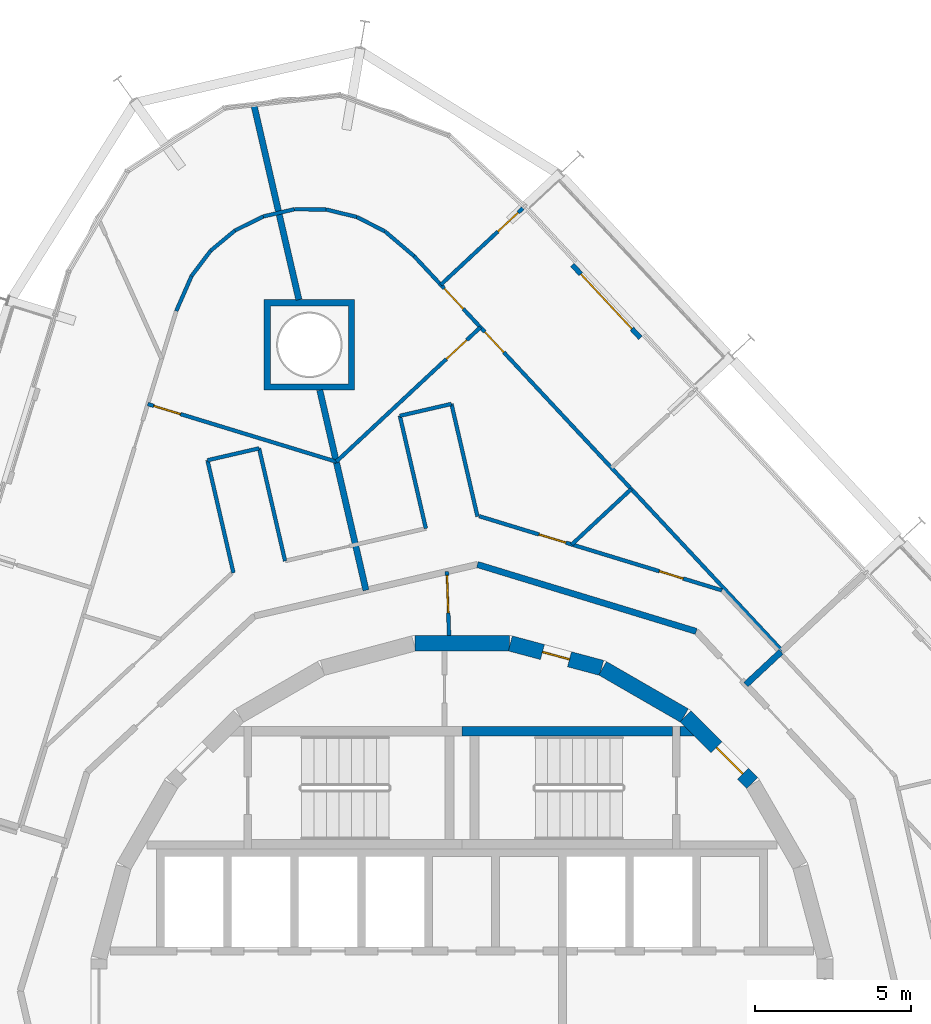
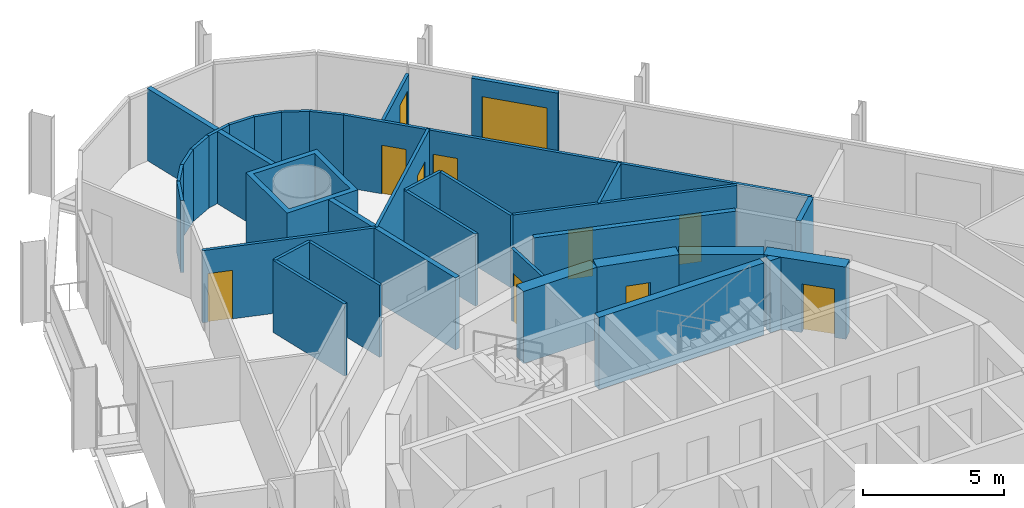
# One storey, part 16 of 18: 34 walls, 11 doors, 11 openings.
"""IFC4 building model written with IfcOpenShell, lengths in metres."""

from ifc_helpers import new_model, si_unit, direction, frame, frame_2d, origin, place, context, subcontext, project, spatial, polyline, rectangle, outline, extrude, material, layer, layer_set, type_object, element, fill, save


model = new_model("IFC4")

# Units and contexts
model_context = context("Model", 3, precision=1e-05, world=origin(), true_north=direction((0.0, 1.0)))
body_context = subcontext(model_context, "Body", "Model", "MODEL_VIEW")
ifc_project = project(units=[si_unit("LENGTHUNIT", "METRE"), si_unit("AREAUNIT", "SQUARE_METRE"), si_unit("VOLUMEUNIT", "CUBIC_METRE"), si_unit("PLANEANGLEUNIT", "RADIAN"), si_unit("MASSUNIT", "GRAM", prefix="KILO")], contexts=[model_context])

# Site, building, storey
site_placement = place(None, origin())
site = spatial("IfcSite", under=ifc_project, at=site_placement, CompositionType="ELEMENT")
building_placement = place(site_placement, origin())
building = spatial("IfcBuilding", under=site, at=building_placement, Name="Spindle Arch Residences", CompositionType="ELEMENT")
storey_placement = place(building_placement, frame((0.0, 0.0, 120.39990234375)))
storey = spatial("IfcBuildingStorey", under=building, at=storey_placement, Name="L29", CompositionType="ELEMENT", Elevation=120.39990234375)

# Wall, opening, door
ifc_material_1 = material(Name="Concrete C50/60", Category="concrete")
ifc_layer_1 = layer(ifc_material_1, 0.5)
ifc_layer_set_1 = layer_set([ifc_layer_1], Name="Core outline wall 500")
wall_type_1 = type_object("IfcWallType", Name="Core outline wall 500", PredefinedType="SHEAR", material=ifc_layer_set_1)
wall_1_placement = place(storey_placement, frame((9.30810546875, 7.163818359375, 0.0), z_axis=(0.0, 0.0, 1.0), x_axis=(-0.707106781187, 0.707106781187, 0.0)))
wall_1 = element("IfcWall", 1, at=wall_1_placement, inside=storey, type_object=wall_type_1, Name="Core outline wall 9", PredefinedType="SHEAR", context=body_context, shape_type="SweptSolid", body=[
    extrude(rectangle(XDim=3.032470703125, YDim=0.5, at=frame_2d((1.51611328125, 0.0))), origin(), (0.0, 0.0, 1.0), 3.1201171875),
])
opening_1_placement = place(wall_1_placement, frame((0.416259765625, 0.0, 0.0)))
opening_1 = element("IfcOpeningElement", 2, at=opening_1_placement, cuts=wall_1, Name="Opening R3A0-AD01", PredefinedType="OPENING", context=body_context, shape_type="SweptSolid", body=[
    extrude(rectangle(XDim=1.199951171875, YDim=2.10009765625, at=frame_2d((0.60009765625, 1.050048828125))), frame((0.0, 0.260009765625, 0.0), z_axis=(0.0, -1.0, 0.0), x_axis=(1.0, 0.0, 0.0)), (0.0, 0.0, 1.0), 0.52001953125),
])
ifc_material_2 = material(Name="Steel, fire-resisting door", Category="steel")
door_type_1 = type_object("IfcDoorType", Name="Stair airlock door 1200x2100", OperationType="SINGLE_SWING_LEFT", PredefinedType="DOOR", material=ifc_material_2)
door_1_placement = place(opening_1_placement, origin())
door_1 = element("IfcDoor", 3, at=door_1_placement, inside=storey, type_object=door_type_1, Name="Stair airlock door R3A0-AD01", OperationType="SINGLE_SWING_RIGHT", OverallHeight=2.10009765625, OverallWidth=1.199951171875, PredefinedType="DOOR", context=body_context, shape_type="SweptSolid", body=[
    extrude(rectangle(XDim=1.199951171875, YDim=2.10009765625, at=frame_2d((0.60009765625, 1.050048828125))), frame((0.0, 0.02490234375, 0.0), z_axis=(0.0, -1.0, 0.0), x_axis=(1.0, 0.0, 0.0)), (0.0, 0.0, 1.0), 0.050048828125),
])
fill(opening_1, door_1)

# Wall
wall_2_placement = place(storey_placement, frame((7.13671875, 9.32861328125, 0.0), z_axis=(0.0, 0.0, 1.0), x_axis=(-0.865975092491, 0.500087131594, 0.0)))
element("IfcWall", 4, at=wall_2_placement, inside=storey, type_object=wall_type_1, Name="Core outline wall 10", PredefinedType="SHEAR", context=body_context, shape_type="SweptSolid", body=[
    extrude(rectangle(XDim=3.03271484375, YDim=0.5, at=frame_2d((1.516357421875, 0.0))), origin(), (0.0, 0.0, 1.0), 3.1201171875),
])

# Wall, opening, door
wall_3_placement = place(storey_placement, frame((4.479248046875, 10.858154296875, 0.0), z_axis=(0.0, 0.0, 1.0), x_axis=(-0.965948410781, 0.258734743916, 0.0)))
wall_3 = element("IfcWall", 5, at=wall_3_placement, inside=storey, type_object=wall_type_1, Name="Core outline wall 11", PredefinedType="SHEAR", context=body_context, shape_type="SweptSolid", body=[
    extrude(rectangle(XDim=3.03271484375, YDim=0.5, at=frame_2d((1.516357421875, 0.0))), origin(), (0.0, 0.0, 1.0), 3.1201171875),
])
opening_2_placement = place(wall_3_placement, frame((1.066162109375, 0.0, 0.0)))
opening_2 = element("IfcOpeningElement", 6, at=opening_2_placement, cuts=wall_3, Name="Opening R3A0-WD12", PredefinedType="OPENING", context=body_context, shape_type="SweptSolid", body=[
    extrude(rectangle(XDim=0.89990234375, YDim=2.10009765625, at=frame_2d((0.449951171875, 1.050048828125))), frame((0.0, 0.260009765625, 0.0), z_axis=(0.0, -1.0, 0.0), x_axis=(1.0, 0.0, 0.0)), (0.0, 0.0, 1.0), 0.52001953125),
])
ifc_material_3 = material(Name="Steel, fire-resisting door", Category="steel")
door_type_2 = type_object("IfcDoorType", Name="Service room door 900x2100", OperationType="SINGLE_SWING_LEFT", PredefinedType="DOOR", material=ifc_material_3)
door_2_placement = place(opening_2_placement, origin())
door_2 = element("IfcDoor", 7, at=door_2_placement, inside=storey, type_object=door_type_2, Name="Service room door R3A0-WD12", OperationType="SINGLE_SWING_LEFT", OverallHeight=2.10009765625, OverallWidth=0.89990234375, PredefinedType="DOOR", context=body_context, shape_type="SweptSolid", body=[
    extrude(rectangle(XDim=0.89990234375, YDim=2.10009765625, at=frame_2d((0.449951171875, 1.050048828125))), frame((0.0, 0.02490234375, 0.0), z_axis=(0.0, -1.0, 0.0), x_axis=(1.0, 0.0, 0.0)), (0.0, 0.0, 1.0), 0.050048828125),
])
fill(opening_2, door_2)

# Wall
wall_4_placement = place(storey_placement, frame((1.516357421875, 11.647216796875, 0.0), z_axis=(0.0, 0.0, 1.0), x_axis=(-1.0, 0.0, 0.0)))
element("IfcWall", 8, at=wall_4_placement, inside=storey, type_object=wall_type_1, Name="Core outline wall 12", PredefinedType="SHEAR", context=body_context, shape_type="SweptSolid", body=[
    extrude(rectangle(XDim=3.03271484375, YDim=0.5, at=frame_2d((1.516357421875, 0.0))), origin(), (0.0, 0.0, 1.0), 3.1201171875),
])

# Wall, opening, door
ifc_material_4 = material(Name="Plasterboard on steel studs", Category="steel")
ifc_layer_2 = layer(ifc_material_4, 0.1201171875)
ifc_layer_set_2 = layer_set([ifc_layer_2], Name="Corridor division wall 120")
wall_type_2 = type_object("IfcWallType", Name="Corridor division wall 120", PredefinedType="PARTITIONING", material=ifc_layer_set_2)
wall_5_placement = place(storey_placement, frame((-0.487060546875, 13.947998046875, 0.0), z_axis=(0.0, 0.0, 1.0), x_axis=(0.034859752231, -0.999392214135, 0.0)))
wall_5 = element("IfcWall", 9, at=wall_5_placement, inside=storey, type_object=wall_type_2, Name="Corridor division wall R3A0-W001", PredefinedType="PARTITIONING", context=body_context, shape_type="SweptSolid", body=[
    extrude(rectangle(XDim=2.052001953125, YDim=0.1201171875, at=frame_2d((1.02587890625, 0.0))), origin(), (0.0, 0.0, 1.0), 3.1201171875),
])
opening_3_placement = place(wall_5_placement, frame((0.125, 0.0, 0.0)))
opening_3 = element("IfcOpeningElement", 10, at=opening_3_placement, cuts=wall_5, Name="Opening R3A0-CD01", PredefinedType="OPENING", context=body_context, shape_type="SweptSolid", body=[
    extrude(rectangle(XDim=1.199951171875, YDim=2.10009765625, at=frame_2d((0.60009765625, 1.050048828125))), frame((0.0, 0.070068359375, 0.0), z_axis=(0.0, -1.0, 0.0), x_axis=(1.0, 0.0, 0.0)), (0.0, 0.0, 1.0), 0.14013671875),
])
ifc_material_5 = material(Name="Steel, fire-resisting door", Category="steel")
door_type_3 = type_object("IfcDoorType", Name="Corridor division door 1200x2100", OperationType="NOTDEFINED", PredefinedType="DOOR", material=ifc_material_5)
door_3_placement = place(opening_3_placement, origin())
door_3 = element("IfcDoor", 11, at=door_3_placement, inside=storey, type_object=door_type_3, Name="Corridor division door R3A0-CD01", OperationType="DOUBLE_DOOR_SINGLE_SWING", OverallHeight=2.10009765625, OverallWidth=1.199951171875, PredefinedType="DOOR", context=body_context, shape_type="SweptSolid", body=[
    extrude(rectangle(XDim=1.199951171875, YDim=2.10009765625, at=frame_2d((0.60009765625, 1.050048828125))), frame((0.0, 0.02490234375, 0.0), z_axis=(0.0, -1.0, 0.0), x_axis=(1.0, 0.0, 0.0)), (0.0, 0.0, 1.0), 0.050048828125),
])
fill(opening_3, door_3)

# Wall
ifc_material_6 = material(Name="Calcium silicate block, plastered")
ifc_layer_3 = layer(ifc_material_6, 0.199951171875)
ifc_layer_set_3 = layer_set([ifc_layer_3], Name="Corridor wall 200")
wall_type_3 = type_object("IfcWallType", Name="Corridor wall 200", PredefinedType="STANDARD", material=ifc_layer_set_3)
wall_6_placement = place(storey_placement, frame((7.51611328125, 12.028076171875, 0.0), z_axis=(0.0, 0.0, 1.0), x_axis=(-0.956306642771, 0.292365533182, 0.0)))
element("IfcWall", 12, at=wall_6_placement, inside=storey, type_object=wall_type_3, Name="Corridor wall R3A0-W007", PredefinedType="STANDARD", context=body_context, shape_type="SweptSolid", body=[
    extrude(rectangle(XDim=7.341796875, YDim=0.199951171875, at=frame_2d((3.6708984375, 0.0))), origin(), (0.0, 0.0, 1.0), 3.1201171875),
])

# Wall, openings, doors
ifc_material_7 = material(Name="Plasterboard on steel studs", Category="steel")
ifc_layer_4 = layer(ifc_material_7, 0.1201171875)
ifc_layer_set_4 = layer_set([ifc_layer_4], Name="Flat partition 120")
wall_type_4 = type_object("IfcWallType", Name="Flat partition 120", PredefinedType="PARTITIONING", material=ifc_layer_set_4)
wall_7_placement = place(storey_placement, frame((8.3388671875, 13.34521484375, 0.0), z_axis=(0.0, 0.0, 1.0), x_axis=(-0.956310145342, 0.292354076276, 0.0)))
wall_7 = element("IfcWall", 13, at=wall_7_placement, inside=storey, type_object=wall_type_4, Name="Flat partition R3A0-W044", PredefinedType="PARTITIONING", context=body_context, shape_type="SweptSolid", body=[
    extrude(rectangle(XDim=8.1455078125, YDim=0.1201171875, at=frame_2d((4.07275390625, 0.0))), origin(), (0.0, 0.0, 1.0), 3.1201171875),
])
opening_4_placement = place(wall_7_placement, frame((1.300048828125, 0.0, 0.0)))
opening_4 = element("IfcOpeningElement", 14, at=opening_4_placement, cuts=wall_7, Name="Opening R3A0-BD03", PredefinedType="OPENING", context=body_context, shape_type="SweptSolid", body=[
    extrude(rectangle(XDim=0.800048828125, YDim=2.10009765625, at=frame_2d((0.39990234375, 1.050048828125))), frame((0.0, 0.070068359375, 0.0), z_axis=(0.0, -1.0, 0.0), x_axis=(1.0, 0.0, 0.0)), (0.0, 0.0, 1.0), 0.14013671875),
])
opening_5_placement = place(wall_7_placement, frame((5.236572265625, 0.0, 0.0)))
opening_5 = element("IfcOpeningElement", 15, at=opening_5_placement, cuts=wall_7, Name="Opening R3A0-ID06", PredefinedType="OPENING", context=body_context, shape_type="SweptSolid", body=[
    extrude(rectangle(XDim=0.89990234375, YDim=2.10009765625, at=frame_2d((0.449951171875, 1.050048828125))), frame((0.0, 0.070068359375, 0.0), z_axis=(0.0, -1.0, 0.0), x_axis=(1.0, 0.0, 0.0)), (0.0, 0.0, 1.0), 0.14013671875),
])
ifc_material_8 = material(Name="Timber door set", Category="wood")
door_type_4 = type_object("IfcDoorType", Name="Bathroom door 800x2100", OperationType="NOTDEFINED", PredefinedType="DOOR", material=ifc_material_8)
door_4_placement = place(opening_4_placement, origin())
door_4 = element("IfcDoor", 16, at=door_4_placement, inside=storey, type_object=door_type_4, Name="Bathroom door R3A0-BD03", OperationType="SINGLE_SWING_RIGHT", OverallHeight=2.10009765625, OverallWidth=0.800048828125, PredefinedType="DOOR", context=body_context, shape_type="SweptSolid", body=[
    extrude(rectangle(XDim=0.800048828125, YDim=2.10009765625, at=frame_2d((0.39990234375, 1.050048828125))), frame((0.0, 0.02490234375, 0.0), z_axis=(0.0, -1.0, 0.0), x_axis=(1.0, 0.0, 0.0)), (0.0, 0.0, 1.0), 0.050048828125),
])
fill(opening_4, door_4)
ifc_material_9 = material(Name="Timber door set", Category="wood")
door_type_5 = type_object("IfcDoorType", Name="Room door 900x2100", OperationType="NOTDEFINED", PredefinedType="DOOR", material=ifc_material_9)
door_5_placement = place(opening_5_placement, origin())
door_5 = element("IfcDoor", 17, at=door_5_placement, inside=storey, type_object=door_type_5, Name="Room door R3A0-ID06", OperationType="SINGLE_SWING_RIGHT", OverallHeight=2.10009765625, OverallWidth=0.89990234375, PredefinedType="DOOR", context=body_context, shape_type="SweptSolid", body=[
    extrude(rectangle(XDim=0.89990234375, YDim=2.10009765625, at=frame_2d((0.449951171875, 1.050048828125))), frame((0.0, 0.02490234375, 0.0), z_axis=(0.0, -1.0, 0.0), x_axis=(1.0, 0.0, 0.0)), (0.0, 0.0, 1.0), 0.050048828125),
])
fill(opening_5, door_5)

# Walls
wall_8_placement = place(storey_placement, frame((0.495849609375, 15.71435546875, 0.0), z_axis=(0.0, 0.0, 1.0), x_axis=(-0.224960478174, 0.974367889075, 0.0)))
element("IfcWall", 18, at=wall_8_placement, inside=storey, type_object=wall_type_4, Name="Flat partition R3A0-W045", PredefinedType="PARTITIONING", context=body_context, shape_type="SweptSolid", body=[
    extrude(rectangle(XDim=3.708251953125, YDim=0.1201171875, at=frame_2d((1.85400390625, 0.0))), origin(), (0.0, 0.0, 1.0), 3.1201171875),
])
wall_9_placement = place(storey_placement, frame((-0.33837890625, 19.32763671875, 0.0), z_axis=(0.0, 0.0, 1.0), x_axis=(-0.974383934081, -0.224890971374, 0.0)))
element("IfcWall", 19, at=wall_9_placement, inside=storey, type_object=wall_type_4, Name="Flat partition R3A0-W046", PredefinedType="PARTITIONING", context=body_context, shape_type="SweptSolid", body=[
    extrude(rectangle(XDim=1.699951171875, YDim=0.1201171875, at=frame_2d((0.85009765625, 0.0))), origin(), (0.0, 0.0, 1.0), 3.1201171875),
])
wall_10_placement = place(storey_placement, frame((-1.994873046875, 18.9453125, 0.0), z_axis=(0.0, 0.0, 1.0), x_axis=(0.224946048274, -0.974371220514, 0.0)))
element("IfcWall", 20, at=wall_10_placement, inside=storey, type_object=wall_type_4, Name="Flat partition R3A0-W047", PredefinedType="PARTITIONING", context=body_context, shape_type="SweptSolid", body=[
    extrude(rectangle(XDim=3.70849609375, YDim=0.1201171875, at=frame_2d((1.854248046875, 0.0))), origin(), (0.0, 0.0, 1.0), 3.1201171875),
])

# Wall, openings, doors
wall_11_placement = place(storey_placement, frame((-1.538818359375, 24.07080078125, 0.0), z_axis=(0.0, 0.0, 1.0), x_axis=(0.68200220595, -0.731350115252, 0.0)))
wall_11 = element("IfcWall", 21, at=wall_11_placement, inside=storey, type_object=wall_type_4, Name="Flat partition R3A0-W049", PredefinedType="PARTITIONING", context=body_context, shape_type="SweptSolid", body=[
    extrude(rectangle(XDim=17.315673828125, YDim=0.1201171875, at=frame_2d((8.65771484375, 0.0))), origin(), (0.0, 0.0, 1.0), 3.1201171875),
])
opening_6_placement = place(wall_11_placement, frame((3.322998046875, 0.0, 0.0)))
opening_6 = element("IfcOpeningElement", 22, at=opening_6_placement, cuts=wall_11, Name="Opening R3A0-ID07", PredefinedType="OPENING", context=body_context, shape_type="SweptSolid", body=[
    extrude(rectangle(XDim=0.89990234375, YDim=2.10009765625, at=frame_2d((0.449951171875, 1.050048828125))), frame((0.0, 0.070068359375, 0.0), z_axis=(0.0, -1.0, 0.0), x_axis=(1.0, 0.0, 0.0)), (0.0, 0.0, 1.0), 0.14013671875),
])
opening_7_placement = place(wall_11_placement, frame((1.417236328125, 0.0, 0.0)))
opening_7 = element("IfcOpeningElement", 23, at=opening_7_placement, cuts=wall_11, Name="Opening R3A0-ID11", PredefinedType="OPENING", context=body_context, shape_type="SweptSolid", body=[
    extrude(rectangle(XDim=0.89990234375, YDim=2.10009765625, at=frame_2d((0.449951171875, 1.050048828125))), frame((0.0, 0.070068359375, 0.0), z_axis=(0.0, -1.0, 0.0), x_axis=(1.0, 0.0, 0.0)), (0.0, 0.0, 1.0), 0.14013671875),
])
door_6_placement = place(opening_6_placement, origin())
door_6 = element("IfcDoor", 24, at=door_6_placement, inside=storey, type_object=door_type_5, Name="Room door R3A0-ID07", OperationType="SINGLE_SWING_RIGHT", OverallHeight=2.10009765625, OverallWidth=0.89990234375, PredefinedType="DOOR", context=body_context, shape_type="SweptSolid", body=[
    extrude(rectangle(XDim=0.89990234375, YDim=2.10009765625, at=frame_2d((0.449951171875, 1.050048828125))), frame((0.0, 0.02490234375, 0.0), z_axis=(0.0, -1.0, 0.0), x_axis=(1.0, 0.0, 0.0)), (0.0, 0.0, 1.0), 0.050048828125),
])
fill(opening_6, door_6)
door_7_placement = place(opening_7_placement, origin())
door_7 = element("IfcDoor", 25, at=door_7_placement, inside=storey, type_object=door_type_5, Name="Room door R3A0-ID11", OperationType="SINGLE_SWING_LEFT", OverallHeight=2.10009765625, OverallWidth=0.89990234375, PredefinedType="DOOR", context=body_context, shape_type="SweptSolid", body=[
    extrude(rectangle(XDim=0.89990234375, YDim=2.10009765625, at=frame_2d((0.449951171875, 1.050048828125))), frame((0.0, 0.02490234375, 0.0), z_axis=(0.0, -1.0, 0.0), x_axis=(1.0, 0.0, 0.0)), (0.0, 0.0, 1.0), 0.050048828125),
])
fill(opening_7, door_7)

# Wall
wall_12_placement = place(storey_placement, frame((5.4306640625, 16.596923828125, 0.0), z_axis=(0.0, 0.0, 1.0), x_axis=(-0.731378807316, -0.681971436505, 0.0)))
element("IfcWall", 26, at=wall_12_placement, inside=storey, type_object=wall_type_4, Name="Flat partition R3A0-W051", PredefinedType="PARTITIONING", context=body_context, shape_type="SweptSolid", body=[
    extrude(rectangle(XDim=2.609130859375, YDim=0.1201171875, at=frame_2d((1.3046875, 0.0))), origin(), (0.0, 0.0, 1.0), 3.1201171875),
])

# Wall, opening, door
wall_13_placement = place(storey_placement, frame((0.591064453125, 21.786865234375, 0.0), z_axis=(0.0, 0.0, 1.0), x_axis=(-0.731363296574, -0.681988070588, 0.0)))
wall_13 = element("IfcWall", 27, at=wall_13_placement, inside=storey, type_object=wall_type_4, Name="Flat partition R3A0-W053", PredefinedType="PARTITIONING", context=body_context, shape_type="SweptSolid", body=[
    extrude(rectangle(XDim=6.32421875, YDim=0.1201171875, at=frame_2d((3.162109375, 0.0))), origin(), (0.0, 0.0, 1.0), 3.1201171875),
])
opening_8_placement = place(wall_13_placement, frame((0.60009765625, 0.0, 0.0)))
opening_8 = element("IfcOpeningElement", 28, at=opening_8_placement, cuts=wall_13, Name="Opening R3A0-ID08", PredefinedType="OPENING", context=body_context, shape_type="SweptSolid", body=[
    extrude(rectangle(XDim=0.89990234375, YDim=2.10009765625, at=frame_2d((0.449951171875, 1.050048828125))), frame((0.0, 0.070068359375, 0.0), z_axis=(0.0, -1.0, 0.0), x_axis=(1.0, 0.0, 0.0)), (0.0, 0.0, 1.0), 0.14013671875),
])
door_8_placement = place(opening_8_placement, origin())
door_8 = element("IfcDoor", 29, at=door_8_placement, inside=storey, type_object=door_type_5, Name="Room door R3A0-ID08", OperationType="SINGLE_SWING_RIGHT", OverallHeight=2.10009765625, OverallWidth=0.89990234375, PredefinedType="DOOR", context=body_context, shape_type="SweptSolid", body=[
    extrude(rectangle(XDim=0.89990234375, YDim=2.10009765625, at=frame_2d((0.449951171875, 1.050048828125))), frame((0.0, 0.02490234375, 0.0), z_axis=(0.0, -1.0, 0.0), x_axis=(1.0, 0.0, 0.0)), (0.0, 0.0, 1.0), 0.050048828125),
])
fill(opening_8, door_8)

# Walls
for number, where, z_axis, x_axis, name in (
    (30, (-6.372314453125, 25.34375, 0.0), (0.0, 0.0, 1.0), (0.974366885246, 0.224964825997, 0.0), "Flat partition R3A0-W054"),
    (31, (-5.382568359375, 25.572265625, 0.0), (0.0, 0.0, 1.0), (0.999983366401, -0.005767748328, 0.0), "Flat partition R3A0-W055"),
):
    element("IfcWall", number, at=place(storey_placement, frame(where, z_axis=z_axis, x_axis=x_axis)), inside=storey, type_object=wall_type_4, Name=name, PredefinedType="PARTITIONING", context=body_context, shape_type="SweptSolid", body=[
        extrude(rectangle(XDim=1.015869140625, YDim=0.1201171875, at=frame_2d((0.5078125, 0.0))), origin(), (0.0, 0.0, 1.0), 3.1201171875),
    ])
wall_14_placement = place(storey_placement, frame((-4.36669921875, 25.56640625, 0.0), z_axis=(0.0, 0.0, 1.0), x_axis=(0.971704876381, -0.236198292157, 0.0)))
element("IfcWall", 32, at=wall_14_placement, inside=storey, type_object=wall_type_4, Name="Flat partition R3A0-W056", PredefinedType="PARTITIONING", context=body_context, shape_type="SweptSolid", body=[
    extrude(rectangle(XDim=1.01611328125, YDim=0.1201171875, at=frame_2d((0.508056640625, 0.0))), origin(), (0.0, 0.0, 1.0), 3.1201171875),
])
wall_15_placement = place(storey_placement, frame((-3.37939453125, 25.326416015625, 0.0), z_axis=(0.0, 0.0, 1.0), x_axis=(0.890890892221, -0.454217368842, 0.0)))
element("IfcWall", 33, at=wall_15_placement, inside=storey, type_object=wall_type_4, Name="Flat partition R3A0-W057", PredefinedType="PARTITIONING", context=body_context, shape_type="SweptSolid", body=[
    extrude(rectangle(XDim=1.015869140625, YDim=0.1201171875, at=frame_2d((0.5078125, 0.0))), origin(), (0.0, 0.0, 1.0), 3.1201171875),
])
wall_16_placement = place(storey_placement, frame((-2.474365234375, 24.864990234375, 0.0), z_axis=(0.0, 0.0, 1.0), x_axis=(0.762351487461, -0.647163201647, 0.0)))
element("IfcWall", 34, at=wall_16_placement, inside=storey, type_object=wall_type_4, Name="Flat partition R3A0-W058", PredefinedType="PARTITIONING", context=body_context, shape_type="SweptSolid", body=[
    extrude(rectangle(XDim=1.227294921875, YDim=0.1201171875, at=frame_2d((0.61376953125, 0.0))), origin(), (0.0, 0.0, 1.0), 3.1201171875),
])
wall_17_placement = place(storey_placement, frame((-5.677490234375, 14.2890625, 0.0), z_axis=(0.0, 0.0, 1.0), x_axis=(-0.224960478174, 0.974367889075, 0.0)))
element("IfcWall", 35, at=wall_17_placement, inside=storey, type_object=wall_type_4, Name="Flat partition R3A0-W059", PredefinedType="PARTITIONING", context=body_context, shape_type="SweptSolid", body=[
    extrude(rectangle(XDim=3.708251953125, YDim=0.1201171875, at=frame_2d((1.85400390625, 0.0))), origin(), (0.0, 0.0, 1.0), 3.1201171875),
])
wall_18_placement = place(storey_placement, frame((-6.51171875, 17.90234375, 0.0), z_axis=(0.0, 0.0, 1.0), x_axis=(-0.974376669418, -0.224922444621, 0.0)))
element("IfcWall", 36, at=wall_18_placement, inside=storey, type_object=wall_type_4, Name="Flat partition R3A0-W060", PredefinedType="PARTITIONING", context=body_context, shape_type="SweptSolid", body=[
    extrude(rectangle(XDim=1.69970703125, YDim=0.1201171875, at=frame_2d((0.849853515625, 0.0))), origin(), (0.0, 0.0, 1.0), 3.1201171875),
])
wall_19_placement = place(storey_placement, frame((-8.16796875, 17.52001953125, 0.0), z_axis=(0.0, 0.0, 1.0), x_axis=(0.224960478174, -0.974367889075, 0.0)))
element("IfcWall", 37, at=wall_19_placement, inside=storey, type_object=wall_type_4, Name="Flat partition R3A0-W061", PredefinedType="PARTITIONING", context=body_context, shape_type="SweptSolid", body=[
    extrude(rectangle(XDim=3.708251953125, YDim=0.1201171875, at=frame_2d((1.85400390625, 0.0))), origin(), (0.0, 0.0, 1.0), 3.1201171875),
])
wall_20_placement = place(storey_placement, frame((-6.372314453125, 25.34375, 0.0), z_axis=(0.0, 0.0, 1.0), x_axis=(-0.896341374877, -0.443364567466, 0.0)))
element("IfcWall", 38, at=wall_20_placement, inside=storey, type_object=wall_type_4, Name="Flat partition R3A0-W064", PredefinedType="PARTITIONING", context=body_context, shape_type="SweptSolid", body=[
    extrude(rectangle(XDim=1.015869140625, YDim=0.1201171875, at=frame_2d((0.5078125, 0.0))), origin(), (0.0, 0.0, 1.0), 3.1201171875),
])
wall_21_placement = place(storey_placement, frame((-7.282958984375, 24.893310546875, 0.0), z_axis=(0.0, 0.0, 1.0), x_axis=(-0.769657158348, -0.638457405473, 0.0)))
element("IfcWall", 39, at=wall_21_placement, inside=storey, type_object=wall_type_4, Name="Flat partition R3A0-W065", PredefinedType="PARTITIONING", context=body_context, shape_type="SweptSolid", body=[
    extrude(rectangle(XDim=1.01611328125, YDim=0.1201171875, at=frame_2d((0.508056640625, 0.0))), origin(), (0.0, 0.0, 1.0), 3.1201171875),
])
wall_22_placement = place(storey_placement, frame((-8.06494140625, 24.24462890625, 0.0), z_axis=(0.0, 0.0, 1.0), x_axis=(-0.601959070304, -0.798526942363, 0.0)))
element("IfcWall", 40, at=wall_22_placement, inside=storey, type_object=wall_type_4, Name="Flat partition R3A0-W066", PredefinedType="PARTITIONING", context=body_context, shape_type="SweptSolid", body=[
    extrude(rectangle(XDim=1.015869140625, YDim=0.1201171875, at=frame_2d((0.5078125, 0.0))), origin(), (0.0, 0.0, 1.0), 3.1201171875),
])
wall_23_placement = place(storey_placement, frame((-8.676513671875, 23.433349609375, 0.0), z_axis=(0.0, 0.0, 1.0), x_axis=(-0.401351130635, -0.915924270853, 0.0)))
element("IfcWall", 41, at=wall_23_placement, inside=storey, type_object=wall_type_4, Name="Flat partition R3A0-W067", PredefinedType="PARTITIONING", context=body_context, shape_type="SweptSolid", body=[
    extrude(rectangle(XDim=1.22705078125, YDim=0.1201171875, at=frame_2d((0.613525390625, 0.0))), origin(), (0.0, 0.0, 1.0), 3.1201171875),
])

# Wall, opening, door
wall_24_placement = place(storey_placement, frame((-10.08203125, 19.322998046875, 0.0), z_axis=(0.0, 0.0, 1.0), x_axis=(0.956300011431, -0.292387222936, 0.0)))
wall_24 = element("IfcWall", 42, at=wall_24_placement, inside=storey, type_object=wall_type_4, Name="Flat partition R3A0-W069", PredefinedType="PARTITIONING", context=body_context, shape_type="SweptSolid", body=[
    extrude(rectangle(XDim=6.32421875, YDim=0.1201171875, at=frame_2d((3.162109375, 0.0))), origin(), (0.0, 0.0, 1.0), 3.1201171875),
])
opening_9_placement = place(wall_24_placement, frame((0.199951171875, 0.0, 0.0)))
opening_9 = element("IfcOpeningElement", 43, at=opening_9_placement, cuts=wall_24, Name="Opening R3A0-ID13", PredefinedType="OPENING", context=body_context, shape_type="SweptSolid", body=[
    extrude(rectangle(XDim=0.89990234375, YDim=2.10009765625, at=frame_2d((0.449951171875, 1.050048828125))), frame((0.0, 0.070068359375, 0.0), z_axis=(0.0, -1.0, 0.0), x_axis=(1.0, 0.0, 0.0)), (0.0, 0.0, 1.0), 0.14013671875),
])
door_9_placement = place(opening_9_placement, origin())
door_9 = element("IfcDoor", 44, at=door_9_placement, inside=storey, type_object=door_type_5, Name="Room door R3A0-ID13", OperationType="SINGLE_SWING_LEFT", OverallHeight=2.10009765625, OverallWidth=0.89990234375, PredefinedType="DOOR", context=body_context, shape_type="SweptSolid", body=[
    extrude(rectangle(XDim=0.89990234375, YDim=2.10009765625, at=frame_2d((0.449951171875, 1.050048828125))), frame((0.0, 0.02490234375, 0.0), z_axis=(0.0, -1.0, 0.0), x_axis=(1.0, 0.0, 0.0)), (0.0, 0.0, 1.0), 0.050048828125),
])
fill(opening_9, door_9)

ifc_material_10 = material(Name="Plasterboard on steel studs", Category="steel")
ifc_layer_5 = layer(ifc_material_10, 0.1201171875)
ifc_layer_set_5 = layer_set([ifc_layer_5], Name="Flat partition 120 under beam 2730")
wall_type_5 = type_object("IfcWallType", Name="Flat partition 120 under beam 2730", PredefinedType="PARTITIONING", material=ifc_layer_set_5)
wall_25_placement = place(storey_placement, frame((1.951416015625, 25.606689453125, 0.0), z_axis=(0.0, 0.0, 1.0), x_axis=(-0.731328084739, -0.682025829769, 0.0)))
wall_25 = element("IfcWall", 45, at=wall_25_placement, inside=storey, type_object=wall_type_5, Name="Flat partition R3A0-W052", PredefinedType="PARTITIONING", context=body_context, shape_type="SweptSolid", body=[
    extrude(rectangle(XDim=3.60009765625, YDim=0.1201171875, at=frame_2d((1.800048828125, 0.0))), origin(), (0.0, 0.0, 1.0), 2.72998046875),
])
opening_10_placement = place(wall_25_placement, frame((0.199951171875, 0.0, 0.0)))
opening_10 = element("IfcOpeningElement", 46, at=opening_10_placement, cuts=wall_25, Name="Opening R3A0-ID10", PredefinedType="OPENING", context=body_context, shape_type="SweptSolid", body=[
    extrude(rectangle(XDim=0.89990234375, YDim=2.10009765625, at=frame_2d((0.449951171875, 1.050048828125))), frame((0.0, 0.070068359375, 0.0), z_axis=(0.0, -1.0, 0.0), x_axis=(1.0, 0.0, 0.0)), (0.0, 0.0, 1.0), 0.14013671875),
])
door_10_placement = place(opening_10_placement, origin())
door_10 = element("IfcDoor", 47, at=door_10_placement, inside=storey, type_object=door_type_5, Name="Room door R3A0-ID10", OperationType="SINGLE_SWING_RIGHT", OverallHeight=2.10009765625, OverallWidth=0.89990234375, PredefinedType="DOOR", context=body_context, shape_type="SweptSolid", body=[
    extrude(rectangle(XDim=0.89990234375, YDim=2.10009765625, at=frame_2d((0.449951171875, 1.050048828125))), frame((0.0, 0.02490234375, 0.0), z_axis=(0.0, -1.0, 0.0), x_axis=(1.0, 0.0, 0.0)), (0.0, 0.0, 1.0), 0.050048828125),
])
fill(opening_10, door_10)

# Walls
ifc_material_11 = material(Name="Calcium silicate block, plastered")
ifc_layer_6 = layer(ifc_material_11, 0.199951171875)
ifc_layer_set_6 = layer_set([ifc_layer_6], Name="Flat party wall 200")
wall_type_6 = type_object("IfcWallType", Name="Flat party wall 200", PredefinedType="STANDARD", material=ifc_layer_set_6)
wall_26_placement = place(storey_placement, frame((10.233154296875, 11.372314453125, 0.0), z_axis=(0.0, 0.0, 1.0), x_axis=(-0.731329353292, -0.682024469513, 0.0)))
element("IfcWall", 48, at=wall_26_placement, inside=storey, type_object=wall_type_6, Name="Flat party wall R3A0-W016", PredefinedType="STANDARD", context=body_context, shape_type="SweptSolid", body=[
    extrude(rectangle(XDim=1.5400390625, YDim=0.199951171875, at=frame_2d((0.77001953125, 0.0))), origin(), (0.0, 0.0, 1.0), 3.1201171875),
])
wall_27_placement = place(storey_placement, frame((-4.56494140625, 19.7734375, 0.0), z_axis=(0.0, 0.0, 1.0), x_axis=(0.224940633072, -0.974372470667, 0.0)))
element("IfcWall", 49, at=wall_27_placement, inside=storey, type_object=wall_type_6, Name="Flat party wall R3A0-W021", PredefinedType="STANDARD", context=body_context, shape_type="SweptSolid", body=[
    extrude(rectangle(XDim=6.593505859375, YDim=0.199951171875, at=frame_2d((3.296875, 0.0))), origin(), (0.0, 0.0, 1.0), 3.1201171875),
])
wall_28_placement = place(storey_placement, frame((-6.687255859375, 28.9658203125, 0.0), z_axis=(0.0, 0.0, 1.0), x_axis=(0.224945100086, -0.974371439415, 0.0)))
element("IfcWall", 50, at=wall_28_placement, inside=storey, type_object=wall_type_6, Name="Flat party wall R3A0-W022", PredefinedType="STANDARD", context=body_context, shape_type="SweptSolid", body=[
    extrude(rectangle(XDim=6.457763671875, YDim=0.199951171875, at=frame_2d((3.22900390625, 0.0))), origin(), (0.0, 0.0, 1.0), 3.1201171875),
])

# Wall, opening, door
ifc_material_12 = material(Name="Non-combustible mineral wool insulated aluminium faced external wall (K0)", Category="aluminium")
ifc_layer_7 = layer(ifc_material_12, 0.159912109375)
ifc_layer_set_7 = layer_set([ifc_layer_7], Name="Insulated external wall panel 160")
wall_type_7 = type_object("IfcWallType", Name="Insulated external wall panel 160", PredefinedType="STANDARD", material=ifc_layer_set_7)
wall_29_placement = place(storey_placement, frame((5.72216796875, 21.44580078125, 0.0), z_axis=(0.0, 0.0, 1.0), x_axis=(-0.681994703002, 0.731357111866, 0.0)))
wall_29 = element("IfcWall", 51, at=wall_29_placement, inside=storey, type_object=wall_type_7, Name="External wall L29 bay 9", PredefinedType="STANDARD", context=body_context, shape_type="SweptSolid", body=[
    extrude(rectangle(XDim=3.199951171875, YDim=0.159912109375, at=frame_2d((1.60009765625, 0.0))), origin(), (0.0, 0.0, 1.0), 3.1201171875),
])
opening_11_placement = place(wall_29_placement, frame((0.39990234375, 0.0, 0.0)))
opening_11 = element("IfcOpeningElement", 52, at=opening_11_placement, cuts=wall_29, Name="Opening BD09", PredefinedType="OPENING", context=body_context, shape_type="SweptSolid", body=[
    extrude(rectangle(XDim=2.39990234375, YDim=2.39990234375, at=frame_2d((1.199951171875, 1.199951171875))), frame((0.0, 0.08984375, 0.0), z_axis=(0.0, -1.0, 0.0), x_axis=(1.0, 0.0, 0.0)), (0.0, 0.0, 1.0), 0.179931640625),
])
ifc_material_13 = material(Name="Bronze aluminium frame, tinted double glazing", Category="aluminium")
door_type_6 = type_object("IfcDoorType", Name="Sliding glazed balcony door 2400x2400", OperationType="DOUBLE_DOOR_SLIDING", PredefinedType="DOOR", material=ifc_material_13)
door_11_placement = place(opening_11_placement, origin())
door_11 = element("IfcDoor", 53, at=door_11_placement, inside=storey, type_object=door_type_6, Name="Balcony door BD09", OperationType="DOUBLE_DOOR_SLIDING", OverallHeight=2.39990234375, OverallWidth=2.39990234375, PredefinedType="DOOR", context=body_context, shape_type="SweptSolid", body=[
    extrude(rectangle(XDim=2.39990234375, YDim=2.39990234375, at=frame_2d((1.199951171875, 1.199951171875))), frame((0.0, 0.02490234375, 0.0), z_axis=(0.0, -1.0, 0.0), x_axis=(1.0, 0.0, 0.0)), (0.0, 0.0, 1.0), 0.050048828125),
])
fill(opening_11, door_11)

# Walls
ifc_material_14 = material(Name="Calcium silicate block, plastered")
ifc_layer_8 = layer(ifc_material_14, 0.199951171875)
ifc_layer_set_8 = layer_set([ifc_layer_8], Name="Mega-column casing wall 200")
wall_type_8 = type_object("IfcWallType", Name="Mega-column casing wall 200", PredefinedType="STANDARD", material=ifc_layer_set_8)
wall_30_placement = place(storey_placement, origin())
element("IfcWall", 54, at=wall_30_placement, inside=storey, type_object=wall_type_8, Name="Mega-column casing wall R3A0-WC01", PredefinedType="STANDARD", context=body_context, shape_type="SweptSolid", body=[
    extrude(outline(polyline([(-3.44970703125, 22.673583984375), (-3.44970703125, 19.7734375), (-6.349853515625, 19.7734375), (-6.349853515625, 22.673583984375), (-3.44970703125, 22.673583984375)]), holes=[polyline([(-6.14990234375, 19.973388671875), (-3.64990234375, 19.973388671875), (-3.64990234375, 22.473388671875), (-6.14990234375, 22.473388671875), (-6.14990234375, 19.973388671875)])]), origin(), (0.0, 0.0, 1.0), 3.1201171875),
])
ifc_material_15 = material(Name="Concrete C40/50", Category="concrete")
wall_type_9 = type_object("IfcWallType", Name="Stair airlock wall profile", PredefinedType="SHEAR", material=ifc_material_15)
wall_31_placement = place(storey_placement, origin())
element("IfcWall", 55, at=wall_31_placement, inside=storey, type_object=wall_type_9, Name="Stair ST-1 airlock wall N", PredefinedType="SHEAR", context=body_context, shape_type="SweptSolid", body=[
    extrude(outline(polyline([(7.4482421875, 8.669921875), (7.0, 8.669921875), (7.0, 8.969970703125), (7.148193359375, 8.969970703125), (7.4482421875, 8.669921875)])), origin(), (0.0, 0.0, 1.0), 3.1201171875),
])
ifc_material_16 = material(Name="Concrete C50/60", Category="concrete")
ifc_layer_9 = layer(ifc_material_16, 0.300048828125)
ifc_layer_set_9 = layer_set([ifc_layer_9], Name="Stair enclosure wall 300")
wall_type_10 = type_object("IfcWallType", Name="Stair enclosure wall 300", PredefinedType="SHEAR", material=ifc_layer_set_9)
wall_32_placement = place(storey_placement, frame((0.0, 8.820068359375, 0.0), z_axis=(0.0, 0.0, 1.0), x_axis=(1.0, 0.0, 0.0)))
element("IfcWall", 56, at=wall_32_placement, inside=storey, type_object=wall_type_10, Name="Stair ST-1 enclosure wall N", PredefinedType="SHEAR", context=body_context, shape_type="SweptSolid", body=[
    extrude(rectangle(XDim=6.75, YDim=0.300048828125, at=frame_2d((3.375, 0.0))), origin(), (0.0, 0.0, 1.0), 3.1201171875),
])

save(model, "model.ifc")
